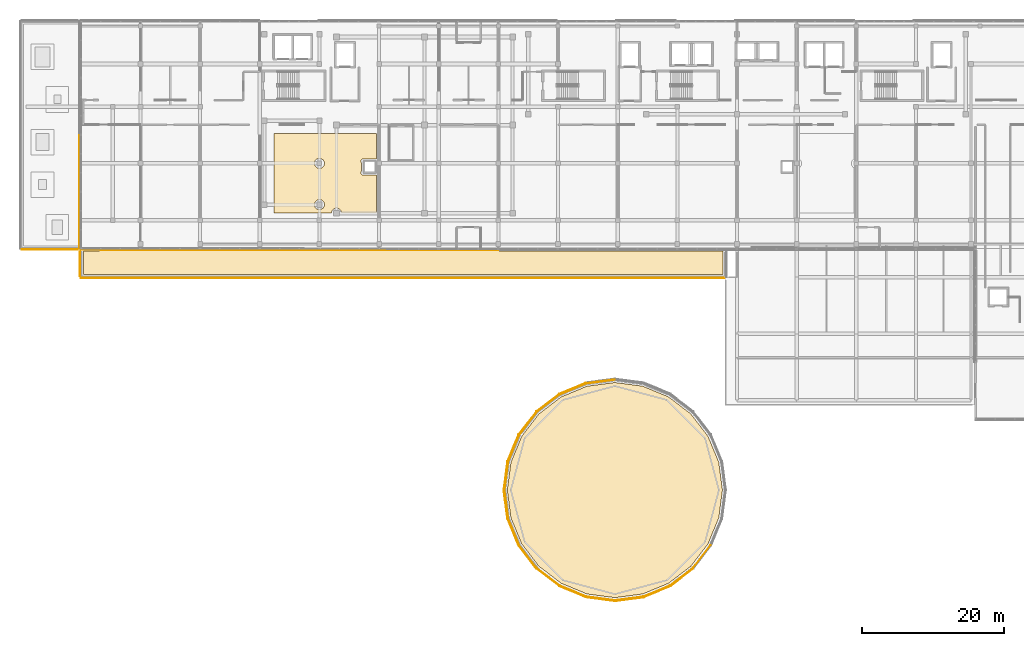
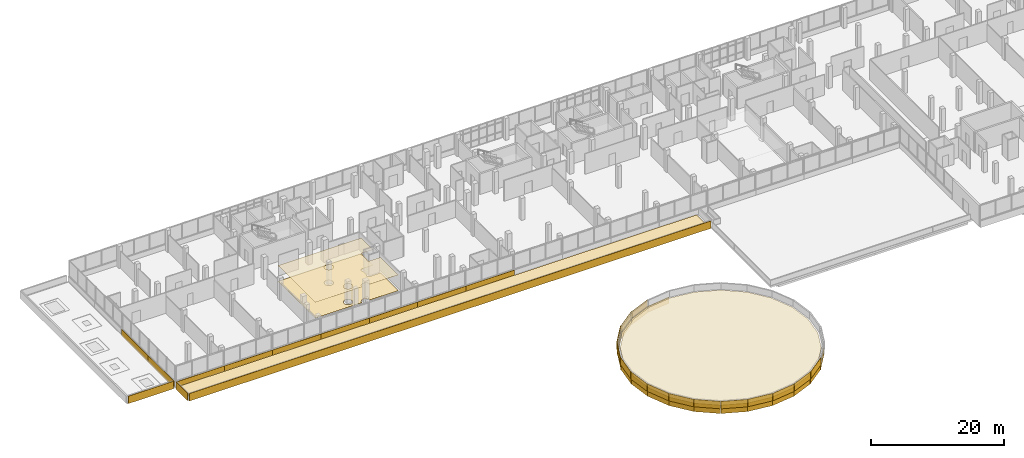
# One storey, part 73 of 78: 46 coverings.
"""IFC4 building model written with IfcOpenShell, lengths in metres."""

from ifc_helpers import new_model, si_unit, direction, frame, origin, origin_2d, place, context, subcontext, project, spatial, polyline, rectangle, outline, extrude, material, layer, layer_set, type_object, element, save


model = new_model("IFC4")

# Units and contexts
model_context = context("Model", 3, precision=1e-05, world=origin(), true_north=direction((0.0, 1.0)))
body_context = subcontext(model_context, "Body", "Model", "MODEL_VIEW")
ifc_project = project(units=[si_unit("LENGTHUNIT", "METRE"), si_unit("AREAUNIT", "SQUARE_METRE"), si_unit("VOLUMEUNIT", "CUBIC_METRE"), si_unit("PLANEANGLEUNIT", "RADIAN"), si_unit("MASSUNIT", "GRAM", prefix="KILO")], contexts=[model_context])

# Site, building, storey
site_placement = place(None, origin())
site = spatial("IfcSite", under=ifc_project, at=site_placement, CompositionType="ELEMENT")
building_placement = place(site_placement, origin())
building = spatial("IfcBuilding", under=site, at=building_placement, Name="Selatvlak General Hospital", CompositionType="ELEMENT")
storey_placement = place(building_placement, frame((0.0, 0.0, 23.25)))
storey = spatial("IfcBuildingStorey", under=building, at=storey_placement, Name="L05", CompositionType="ELEMENT", Elevation=23.25)

# Coverings
ifc_material_1 = material(Name="Acoustic mineral fibre ceiling tile")
ifc_layer_1 = layer(ifc_material_1, 0.02490234375, Name="Acoustic mineral fibre ceiling tile")
ifc_layer_set_1 = layer_set([ifc_layer_1], Name="Acoustic mineral fibre ceiling tile")
covering_type_1 = type_object("IfcCoveringType", Name="COV-CEIL1", PredefinedType="CEILING", material=ifc_layer_set_1)
covering_1_placement = place(storey_placement, frame((0.0, 0.0, 2.875)))
element("IfcCovering", 1, at=covering_1_placement, inside=storey, type_object=covering_type_1, Name="L05 clinical acoustic ceiling 011", PredefinedType="CEILING", context=body_context, shape_type="SweptSolid", body=[
    extrude(outline(polyline([(50.0, 104.199951171875), (64.449951171875, 104.199951171875), (64.449951171875, 100.64599609375), (64.39990234375, 100.64990234375), (62.60009765625, 100.64990234375), (62.56591796875, 100.64794921875), (62.531982421875, 100.64306640625), (62.498046875, 100.635009765625), (62.466064453125, 100.623046875), (62.43505859375, 100.60888671875), (62.406005859375, 100.591064453125), (62.3779296875, 100.571044921875), (62.35302734375, 100.547119140625), (62.3291015625, 100.52197265625), (62.30908203125, 100.493896484375), (62.291015625, 100.465087890625), (62.277099609375, 100.43408203125), (62.264892578125, 100.402099609375), (62.257080078125, 100.367919921875), (62.251953125, 100.333984375), (62.25, 100.300048828125), (62.251953125, 100.26611328125), (62.257080078125, 100.23193359375), (62.264892578125, 100.197998046875), (62.277099609375, 100.166015625), (62.291015625, 100.135009765625), (62.30908203125, 100.10595703125), (62.3291015625, 100.077880859375), (62.35009765625, 100.054931640625), (62.35009765625, 98.945068359375), (62.3291015625, 98.922119140625), (62.30908203125, 98.89404296875), (62.291015625, 98.864990234375), (62.277099609375, 98.833984375), (62.264892578125, 98.802001953125), (62.257080078125, 98.76806640625), (62.251953125, 98.73388671875), (62.25, 98.699951171875), (62.251953125, 98.666015625), (62.257080078125, 98.632080078125), (62.264892578125, 98.597900390625), (62.277099609375, 98.56591796875), (62.291015625, 98.534912109375), (62.30908203125, 98.506103515625), (62.3291015625, 98.47802734375), (62.35302734375, 98.452880859375), (62.3779296875, 98.428955078125), (62.406005859375, 98.408935546875), (62.43505859375, 98.39111328125), (62.466064453125, 98.376953125), (62.498046875, 98.364990234375), (62.531982421875, 98.35693359375), (62.56591796875, 98.35205078125), (62.60009765625, 98.35009765625), (64.39990234375, 98.35009765625), (64.43408203125, 98.35205078125), (64.449951171875, 93.0), (59.5, 93.0), (59.4970703125, 93.069091796875), (59.487060546875, 93.136962890625), (59.469970703125, 93.202880859375), (59.447021484375, 93.26806640625), (59.4169921875, 93.330078125), (59.382080078125, 93.388916015625), (59.341064453125, 93.444091796875), (59.294921875, 93.4951171875), (59.243896484375, 93.541015625), (59.18896484375, 93.58203125), (59.1298828125, 93.616943359375), (59.068115234375, 93.64697265625), (59.0029296875, 93.669921875), (58.93701171875, 93.68701171875), (58.868896484375, 93.697021484375), (58.800048828125, 93.699951171875), (58.73095703125, 93.697021484375), (58.6630859375, 93.68701171875), (58.596923828125, 93.669921875), (58.531982421875, 93.64697265625), (58.469970703125, 93.616943359375), (58.410888671875, 93.58203125), (58.35595703125, 93.541015625), (58.304931640625, 93.4951171875), (58.259033203125, 93.444091796875), (58.218017578125, 93.388916015625), (58.18310546875, 93.330078125), (58.153076171875, 93.26806640625), (58.1298828125, 93.202880859375), (58.113037109375, 93.136962890625), (58.10302734375, 93.069091796875), (58.10009765625, 93.0), (50.0, 93.0), (50.0, 104.199951171875)]), holes=[polyline([(56.94091796875, 93.756103515625), (56.98193359375, 93.81103515625), (57.01708984375, 93.8701171875), (57.047119140625, 93.931884765625), (57.070068359375, 93.9970703125), (57.0869140625, 94.06298828125), (57.096923828125, 94.131103515625), (57.10009765625, 94.199951171875), (57.096923828125, 94.26904296875), (57.0869140625, 94.3369140625), (57.070068359375, 94.403076171875), (57.047119140625, 94.468017578125), (57.01708984375, 94.530029296875), (56.98193359375, 94.589111328125), (56.94091796875, 94.64404296875), (56.89501953125, 94.695068359375), (56.843994140625, 94.740966796875), (56.7890625, 94.781982421875), (56.72998046875, 94.81689453125), (56.66796875, 94.846923828125), (56.60302734375, 94.8701171875), (56.537109375, 94.886962890625), (56.468994140625, 94.89697265625), (56.39990234375, 94.89990234375), (56.3310546875, 94.89697265625), (56.262939453125, 94.886962890625), (56.197021484375, 94.8701171875), (56.132080078125, 94.846923828125), (56.070068359375, 94.81689453125), (56.010986328125, 94.781982421875), (55.9560546875, 94.740966796875), (55.905029296875, 94.695068359375), (55.85888671875, 94.64404296875), (55.818115234375, 94.589111328125), (55.782958984375, 94.530029296875), (55.7529296875, 94.468017578125), (55.72998046875, 94.403076171875), (55.712890625, 94.3369140625), (55.702880859375, 94.26904296875), (55.699951171875, 94.199951171875), (55.702880859375, 94.131103515625), (55.712890625, 94.06298828125), (55.72998046875, 93.9970703125), (55.7529296875, 93.931884765625), (55.782958984375, 93.8701171875), (55.818115234375, 93.81103515625), (55.85888671875, 93.756103515625), (55.905029296875, 93.705078125), (55.9560546875, 93.658935546875), (56.010986328125, 93.617919921875), (56.070068359375, 93.5830078125), (56.132080078125, 93.552978515625), (56.197021484375, 93.530029296875), (56.262939453125, 93.512939453125), (56.3310546875, 93.5029296875), (56.39990234375, 93.5), (56.468994140625, 93.5029296875), (56.537109375, 93.512939453125), (56.60302734375, 93.530029296875), (56.66796875, 93.552978515625), (56.72998046875, 93.5830078125), (56.7890625, 93.617919921875), (56.843994140625, 93.658935546875), (56.89501953125, 93.705078125), (56.94091796875, 93.756103515625)]), polyline([(56.94091796875, 99.555908203125), (56.98193359375, 99.611083984375), (57.01708984375, 99.669921875), (57.047119140625, 99.73193359375), (57.070068359375, 99.797119140625), (57.0869140625, 99.863037109375), (57.096923828125, 99.930908203125), (57.10009765625, 100.0), (57.096923828125, 100.069091796875), (57.0869140625, 100.136962890625), (57.070068359375, 100.202880859375), (57.047119140625, 100.26806640625), (57.01708984375, 100.330078125), (56.98193359375, 100.388916015625), (56.94091796875, 100.444091796875), (56.89501953125, 100.4951171875), (56.843994140625, 100.541015625), (56.7890625, 100.58203125), (56.72998046875, 100.616943359375), (56.66796875, 100.64697265625), (56.60302734375, 100.669921875), (56.537109375, 100.68701171875), (56.468994140625, 100.697021484375), (56.39990234375, 100.699951171875), (56.3310546875, 100.697021484375), (56.262939453125, 100.68701171875), (56.197021484375, 100.669921875), (56.132080078125, 100.64697265625), (56.070068359375, 100.616943359375), (56.010986328125, 100.58203125), (55.9560546875, 100.541015625), (55.905029296875, 100.4951171875), (55.85888671875, 100.444091796875), (55.818115234375, 100.388916015625), (55.782958984375, 100.330078125), (55.7529296875, 100.26806640625), (55.72998046875, 100.202880859375), (55.712890625, 100.136962890625), (55.702880859375, 100.069091796875), (55.699951171875, 100.0), (55.702880859375, 99.930908203125), (55.712890625, 99.863037109375), (55.72998046875, 99.797119140625), (55.7529296875, 99.73193359375), (55.782958984375, 99.669921875), (55.818115234375, 99.611083984375), (55.85888671875, 99.555908203125), (55.905029296875, 99.5048828125), (55.9560546875, 99.458984375), (56.010986328125, 99.41796875), (56.070068359375, 99.383056640625), (56.132080078125, 99.35302734375), (56.197021484375, 99.330078125), (56.262939453125, 99.31298828125), (56.3310546875, 99.302978515625), (56.39990234375, 99.300048828125), (56.468994140625, 99.302978515625), (56.537109375, 99.31298828125), (56.60302734375, 99.330078125), (56.66796875, 99.35302734375), (56.72998046875, 99.383056640625), (56.7890625, 99.41796875), (56.843994140625, 99.458984375), (56.89501953125, 99.5048828125), (56.94091796875, 99.555908203125)])]), origin(), (0.0, 0.0, 1.0), 0.02490234375),
])
ifc_material_2 = material(Name="Homogeneous anti-static hospital vinyl flooring")
ifc_layer_2 = layer(ifc_material_2, 0.014892578125, Name="Homogeneous anti-static hospital vinyl flooring")
ifc_layer_set_2 = layer_set([ifc_layer_2], Name="Homogeneous anti-static hospital vinyl flooring")
covering_type_2 = type_object("IfcCoveringType", Name="COV-FLR1", PredefinedType="FLOORING", material=ifc_layer_set_2)
covering_2_placement = place(storey_placement, origin())
element("IfcCovering", 2, at=covering_2_placement, inside=storey, type_object=covering_type_2, Name="L05 seamless vinyl flooring 011", PredefinedType="FLOORING", context=body_context, shape_type="SweptSolid", body=[
    extrude(outline(polyline([(50.0, 104.199951171875), (64.449951171875, 104.199951171875), (64.449951171875, 100.64599609375), (64.39990234375, 100.64990234375), (62.60009765625, 100.64990234375), (62.56591796875, 100.64794921875), (62.531982421875, 100.64306640625), (62.498046875, 100.635009765625), (62.466064453125, 100.623046875), (62.43505859375, 100.60888671875), (62.406005859375, 100.591064453125), (62.3779296875, 100.571044921875), (62.35302734375, 100.547119140625), (62.3291015625, 100.52197265625), (62.30908203125, 100.493896484375), (62.291015625, 100.465087890625), (62.277099609375, 100.43408203125), (62.264892578125, 100.402099609375), (62.257080078125, 100.367919921875), (62.251953125, 100.333984375), (62.25, 100.300048828125), (62.251953125, 100.26611328125), (62.257080078125, 100.23193359375), (62.264892578125, 100.197998046875), (62.277099609375, 100.166015625), (62.291015625, 100.135009765625), (62.30908203125, 100.10595703125), (62.3291015625, 100.077880859375), (62.35009765625, 100.054931640625), (62.35009765625, 98.945068359375), (62.3291015625, 98.922119140625), (62.30908203125, 98.89404296875), (62.291015625, 98.864990234375), (62.277099609375, 98.833984375), (62.264892578125, 98.802001953125), (62.257080078125, 98.76806640625), (62.251953125, 98.73388671875), (62.25, 98.699951171875), (62.251953125, 98.666015625), (62.257080078125, 98.632080078125), (62.264892578125, 98.597900390625), (62.277099609375, 98.56591796875), (62.291015625, 98.534912109375), (62.30908203125, 98.506103515625), (62.3291015625, 98.47802734375), (62.35302734375, 98.452880859375), (62.3779296875, 98.428955078125), (62.406005859375, 98.408935546875), (62.43505859375, 98.39111328125), (62.466064453125, 98.376953125), (62.498046875, 98.364990234375), (62.531982421875, 98.35693359375), (62.56591796875, 98.35205078125), (62.60009765625, 98.35009765625), (64.39990234375, 98.35009765625), (64.43408203125, 98.35205078125), (64.449951171875, 93.0), (59.5, 93.0), (59.4970703125, 93.069091796875), (59.487060546875, 93.136962890625), (59.469970703125, 93.202880859375), (59.447021484375, 93.26806640625), (59.4169921875, 93.330078125), (59.382080078125, 93.388916015625), (59.341064453125, 93.444091796875), (59.294921875, 93.4951171875), (59.243896484375, 93.541015625), (59.18896484375, 93.58203125), (59.1298828125, 93.616943359375), (59.068115234375, 93.64697265625), (59.0029296875, 93.669921875), (58.93701171875, 93.68701171875), (58.868896484375, 93.697021484375), (58.800048828125, 93.699951171875), (58.73095703125, 93.697021484375), (58.6630859375, 93.68701171875), (58.596923828125, 93.669921875), (58.531982421875, 93.64697265625), (58.469970703125, 93.616943359375), (58.410888671875, 93.58203125), (58.35595703125, 93.541015625), (58.304931640625, 93.4951171875), (58.259033203125, 93.444091796875), (58.218017578125, 93.388916015625), (58.18310546875, 93.330078125), (58.153076171875, 93.26806640625), (58.1298828125, 93.202880859375), (58.113037109375, 93.136962890625), (58.10302734375, 93.069091796875), (58.10009765625, 93.0), (50.0, 93.0), (50.0, 104.199951171875)]), holes=[polyline([(56.94091796875, 93.756103515625), (56.98193359375, 93.81103515625), (57.01708984375, 93.8701171875), (57.047119140625, 93.931884765625), (57.070068359375, 93.9970703125), (57.0869140625, 94.06298828125), (57.096923828125, 94.131103515625), (57.10009765625, 94.199951171875), (57.096923828125, 94.26904296875), (57.0869140625, 94.3369140625), (57.070068359375, 94.403076171875), (57.047119140625, 94.468017578125), (57.01708984375, 94.530029296875), (56.98193359375, 94.589111328125), (56.94091796875, 94.64404296875), (56.89501953125, 94.695068359375), (56.843994140625, 94.740966796875), (56.7890625, 94.781982421875), (56.72998046875, 94.81689453125), (56.66796875, 94.846923828125), (56.60302734375, 94.8701171875), (56.537109375, 94.886962890625), (56.468994140625, 94.89697265625), (56.39990234375, 94.89990234375), (56.3310546875, 94.89697265625), (56.262939453125, 94.886962890625), (56.197021484375, 94.8701171875), (56.132080078125, 94.846923828125), (56.070068359375, 94.81689453125), (56.010986328125, 94.781982421875), (55.9560546875, 94.740966796875), (55.905029296875, 94.695068359375), (55.85888671875, 94.64404296875), (55.818115234375, 94.589111328125), (55.782958984375, 94.530029296875), (55.7529296875, 94.468017578125), (55.72998046875, 94.403076171875), (55.712890625, 94.3369140625), (55.702880859375, 94.26904296875), (55.699951171875, 94.199951171875), (55.702880859375, 94.131103515625), (55.712890625, 94.06298828125), (55.72998046875, 93.9970703125), (55.7529296875, 93.931884765625), (55.782958984375, 93.8701171875), (55.818115234375, 93.81103515625), (55.85888671875, 93.756103515625), (55.905029296875, 93.705078125), (55.9560546875, 93.658935546875), (56.010986328125, 93.617919921875), (56.070068359375, 93.5830078125), (56.132080078125, 93.552978515625), (56.197021484375, 93.530029296875), (56.262939453125, 93.512939453125), (56.3310546875, 93.5029296875), (56.39990234375, 93.5), (56.468994140625, 93.5029296875), (56.537109375, 93.512939453125), (56.60302734375, 93.530029296875), (56.66796875, 93.552978515625), (56.72998046875, 93.5830078125), (56.7890625, 93.617919921875), (56.843994140625, 93.658935546875), (56.89501953125, 93.705078125), (56.94091796875, 93.756103515625)]), polyline([(56.94091796875, 99.555908203125), (56.98193359375, 99.611083984375), (57.01708984375, 99.669921875), (57.047119140625, 99.73193359375), (57.070068359375, 99.797119140625), (57.0869140625, 99.863037109375), (57.096923828125, 99.930908203125), (57.10009765625, 100.0), (57.096923828125, 100.069091796875), (57.0869140625, 100.136962890625), (57.070068359375, 100.202880859375), (57.047119140625, 100.26806640625), (57.01708984375, 100.330078125), (56.98193359375, 100.388916015625), (56.94091796875, 100.444091796875), (56.89501953125, 100.4951171875), (56.843994140625, 100.541015625), (56.7890625, 100.58203125), (56.72998046875, 100.616943359375), (56.66796875, 100.64697265625), (56.60302734375, 100.669921875), (56.537109375, 100.68701171875), (56.468994140625, 100.697021484375), (56.39990234375, 100.699951171875), (56.3310546875, 100.697021484375), (56.262939453125, 100.68701171875), (56.197021484375, 100.669921875), (56.132080078125, 100.64697265625), (56.070068359375, 100.616943359375), (56.010986328125, 100.58203125), (55.9560546875, 100.541015625), (55.905029296875, 100.4951171875), (55.85888671875, 100.444091796875), (55.818115234375, 100.388916015625), (55.782958984375, 100.330078125), (55.7529296875, 100.26806640625), (55.72998046875, 100.202880859375), (55.712890625, 100.136962890625), (55.702880859375, 100.069091796875), (55.699951171875, 100.0), (55.702880859375, 99.930908203125), (55.712890625, 99.863037109375), (55.72998046875, 99.797119140625), (55.7529296875, 99.73193359375), (55.782958984375, 99.669921875), (55.818115234375, 99.611083984375), (55.85888671875, 99.555908203125), (55.905029296875, 99.5048828125), (55.9560546875, 99.458984375), (56.010986328125, 99.41796875), (56.070068359375, 99.383056640625), (56.132080078125, 99.35302734375), (56.197021484375, 99.330078125), (56.262939453125, 99.31298828125), (56.3310546875, 99.302978515625), (56.39990234375, 99.300048828125), (56.468994140625, 99.302978515625), (56.537109375, 99.31298828125), (56.60302734375, 99.330078125), (56.66796875, 99.35302734375), (56.72998046875, 99.383056640625), (56.7890625, 99.41796875), (56.843994140625, 99.458984375), (56.89501953125, 99.5048828125), (56.94091796875, 99.555908203125)])]), origin(), (0.0, 0.0, 1.0), 0.014892578125),
])
ifc_material_3 = material(Name="Insulated TPO roofing membrane")
ifc_layer_3 = layer(ifc_material_3, 0.06005859375, Name="Insulated TPO roofing membrane")
ifc_layer_set_3 = layer_set([ifc_layer_3], Name="Insulated TPO roofing membrane")
covering_type_3 = type_object("IfcCoveringType", Name="COV-RF1", PredefinedType="ROOFING", material=ifc_layer_set_3)
covering_3_placement = place(storey_placement, frame((0.0, 0.0, 0.050048828125)))
element("IfcCovering", 3, at=covering_3_placement, inside=storey, type_object=covering_type_3, Name="L05 insulated TPO roof membrane 06", PredefinedType="ROOFING", context=body_context, shape_type="SweptSolid", body=[
    extrude(outline(polyline([(23.14990234375, 87.64208984375), (113.2451171875, 87.64208984375), (113.2451171875, 84.35009765625), (23.14990234375, 84.35009765625), (23.14990234375, 87.64208984375)])), origin(), (0.0, 0.0, 1.0), 0.06005859375),
])
covering_4_placement = place(storey_placement, frame((0.0, 0.0, 1.35009765625)))
element("IfcCovering", 4, at=covering_4_placement, inside=storey, type_object=covering_type_3, Name="L05 insulated TPO roof membrane 08", PredefinedType="ROOFING", context=body_context, shape_type="SweptSolid", body=[
    extrude(outline(polyline([(113.14697265625, 54.0), (112.631103515625, 50.0791015625), (111.116943359375, 46.427001953125), (108.7099609375, 43.2900390625), (105.572998046875, 40.883056640625), (101.9208984375, 39.368896484375), (98.0, 38.85302734375), (94.0791015625, 39.368896484375), (90.427001953125, 40.883056640625), (87.2900390625, 43.2900390625), (84.883056640625, 46.427001953125), (83.368896484375, 50.0791015625), (82.85302734375, 54.0), (83.368896484375, 57.9208984375), (84.883056640625, 61.572998046875), (87.2900390625, 64.7099609375), (90.427001953125, 67.116943359375), (94.0791015625, 68.631103515625), (98.0, 69.14697265625), (101.9208984375, 68.631103515625), (105.572998046875, 67.116943359375), (108.7099609375, 64.7099609375), (111.116943359375, 61.572998046875), (112.631103515625, 57.9208984375), (113.14697265625, 54.0)])), origin(), (0.0, 0.0, 1.0), 0.059814453125),
])
ifc_material_4 = material(Name="White Bauhaus fair-faced cladding panel")
ifc_layer_4 = layer(ifc_material_4, 0.054931640625, Name="White Bauhaus fair-faced cladding panel")
ifc_layer_set_4 = layer_set([ifc_layer_4], Name="White Bauhaus fair-faced cladding panel")
covering_type_4 = type_object("IfcCoveringType", Name="COV-WHT1", PredefinedType="CLADDING", material=ifc_layer_set_4)
for number, where, z_axis, x_axis, name in (
    (5, (110.22412109375, 44.6220703125, 0.199951171875), (0.0, 0.0, 1.0), (-0.608747582288, -0.793363965062, 0.0), "L05 Rotunda crown white cornice ring 0354"),
    (6, (107.3798828125, 41.778076171875, 0.199951171875), (0.0, 0.0, 1.0), (-0.793363965062, -0.608747582288, 0.0), "L05 Rotunda crown white cornice ring 0356"),
    (7, (103.89697265625, 39.76708984375, 0.199951171875), (0.0, 0.0, 1.0), (-0.923819409341, -0.382828550301, 0.0), "L05 Rotunda crown white cornice ring 0358"),
):
    element("IfcCovering", number, at=place(storey_placement, frame(where, z_axis=z_axis, x_axis=x_axis)), inside=storey, type_object=covering_type_4, Name=name, PredefinedType="CLADDING", context=body_context, shape_type="SweptSolid", body=[
        extrude(rectangle(XDim=4.0458984375, YDim=0.054931640625, at=origin_2d()), origin(), (0.0, 0.0, 1.0), 1.14990234375),
    ])
for number, where, z_axis, x_axis, name in (
    (8, (100.011962890625, 38.72509765625, 0.199951171875), (0.0, 0.0, 1.0), (-0.991419783872, -0.130716533562, 0.0), "L05 Rotunda crown white cornice ring 0360"),
    (9, (95.989990234375, 38.72412109375, 0.199951171875), (0.0, 0.0, 1.0), (-0.99145169435, 0.13047428011, 0.0), "L05 Rotunda crown white cornice ring 0362"),
):
    element("IfcCovering", number, at=place(storey_placement, frame(where, z_axis=z_axis, x_axis=x_axis)), inside=storey, type_object=covering_type_4, Name=name, PredefinedType="CLADDING", context=body_context, shape_type="SweptSolid", body=[
        extrude(rectangle(XDim=4.047119140625, YDim=0.054931640625, at=origin_2d()), origin(), (0.0, 0.0, 1.0), 1.14990234375),
    ])
for number, where, z_axis, x_axis, name in (
    (10, (92.10498046875, 39.764892578125, 0.199951171875), (0.0, 0.0, 1.0), (-0.923906246603, 0.382618932474, 0.0), "L05 Rotunda crown white cornice ring 0364"),
    (11, (88.6220703125, 41.77587890625, 0.199951171875), (0.0, 0.0, 1.0), (-0.793363965062, 0.608747582288, 0.0), "L05 Rotunda crown white cornice ring 0366"),
    (12, (85.778076171875, 44.6201171875, 0.199951171875), (0.0, 0.0, 1.0), (-0.608747582288, 0.793363965062, 0.0), "L05 Rotunda crown white cornice ring 0368"),
    (13, (83.76708984375, 48.10302734375, 0.199951171875), (0.0, 0.0, 1.0), (-0.382828550301, 0.923819409341, 0.0), "L05 Rotunda crown white cornice ring 0370"),
):
    element("IfcCovering", number, at=place(storey_placement, frame(where, z_axis=z_axis, x_axis=x_axis)), inside=storey, type_object=covering_type_4, Name=name, PredefinedType="CLADDING", context=body_context, shape_type="SweptSolid", body=[
        extrude(rectangle(XDim=4.0458984375, YDim=0.054931640625, at=origin_2d()), origin(), (0.0, 0.0, 1.0), 1.14990234375),
    ])
for number, where, z_axis, x_axis, name in (
    (14, (82.72509765625, 51.988037109375, 0.199951171875), (0.0, 0.0, 1.0), (-0.130716533562, 0.991419783872, 0.0), "L05 Rotunda crown white cornice ring 0372"),
    (15, (82.72412109375, 56.010009765625, 0.199951171875), (0.0, 0.0, 1.0), (0.13047428011, 0.99145169435, 0.0), "L05 Rotunda crown white cornice ring 0374"),
):
    element("IfcCovering", number, at=place(storey_placement, frame(where, z_axis=z_axis, x_axis=x_axis)), inside=storey, type_object=covering_type_4, Name=name, PredefinedType="CLADDING", context=body_context, shape_type="SweptSolid", body=[
        extrude(rectangle(XDim=4.047119140625, YDim=0.054931640625, at=origin_2d()), origin(), (0.0, 0.0, 1.0), 1.14990234375),
    ])
for number, where, z_axis, x_axis, name in (
    (16, (83.764892578125, 59.89501953125, 0.199951171875), (0.0, 0.0, 1.0), (0.382618932474, 0.923906246603, 0.0), "L05 Rotunda crown white cornice ring 0376"),
    (17, (85.77587890625, 63.3779296875, 0.199951171875), (0.0, 0.0, 1.0), (0.608747582288, 0.793363965062, 0.0), "L05 Rotunda crown white cornice ring 0378"),
    (18, (88.6201171875, 66.221923828125, 0.199951171875), (0.0, 0.0, 1.0), (0.793363965062, 0.608747582288, 0.0), "L05 Rotunda crown white cornice ring 0380"),
    (19, (92.10302734375, 68.23291015625, 0.199951171875), (0.0, 0.0, 1.0), (0.923819409341, 0.382828550301, 0.0), "L05 Rotunda crown white cornice ring 0382"),
):
    element("IfcCovering", number, at=place(storey_placement, frame(where, z_axis=z_axis, x_axis=x_axis)), inside=storey, type_object=covering_type_4, Name=name, PredefinedType="CLADDING", context=body_context, shape_type="SweptSolid", body=[
        extrude(rectangle(XDim=4.0458984375, YDim=0.054931640625, at=origin_2d()), origin(), (0.0, 0.0, 1.0), 1.14990234375),
    ])
covering_5_placement = place(storey_placement, frame((95.988037109375, 69.27490234375, 0.199951171875), z_axis=(0.0, 0.0, 1.0), x_axis=(0.991419783872, 0.130716533562, 0.0)))
element("IfcCovering", 20, at=covering_5_placement, inside=storey, type_object=covering_type_4, Name="L05 Rotunda crown white cornice ring 0384", PredefinedType="CLADDING", context=body_context, shape_type="SweptSolid", body=[
    extrude(rectangle(XDim=4.047119140625, YDim=0.054931640625, at=origin_2d()), origin(), (0.0, 0.0, 1.0), 1.14990234375),
])
covering_6_placement = place(storey_placement, frame((22.635009765625, 92.0, -0.27978515625), z_axis=(0.0, 0.0, 1.0), x_axis=(0.0, 1.0, 0.0)))
element("IfcCovering", 21, at=covering_6_placement, inside=storey, type_object=covering_type_4, Name="L05 Bauhaus horizontal white spandrel band 0397", PredefinedType="CLADDING", context=body_context, shape_type="SweptSolid", body=[
    extrude(rectangle(XDim=8.0, YDim=0.054931640625, at=origin_2d()), origin(), (0.0, 0.0, 1.0), 1.219970703125),
])
covering_7_placement = place(storey_placement, frame((22.635009765625, 99.9990234375, -0.27978515625), z_axis=(0.0, 0.0, 1.0), x_axis=(0.0, 1.0, 0.0)))
element("IfcCovering", 22, at=covering_7_placement, inside=storey, type_object=covering_type_4, Name="L05 Bauhaus horizontal white spandrel band 0398", PredefinedType="CLADDING", context=body_context, shape_type="SweptSolid", body=[
    extrude(rectangle(XDim=7.9990234375, YDim=0.054931640625, at=origin_2d()), origin(), (0.0, 0.0, 1.0), 1.219970703125),
])
for number, where, z_axis, x_axis, name in (
    (23, (77.39990234375, 87.80908203125, -0.27978515625), (0.0, 0.0, 1.0), (-0.999999888967, 0.000471238881, 0.0), "L05 Bauhaus horizontal white spandrel band 0441"),
    (24, (69.0, 87.81298828125, -0.27978515625), (0.0, 0.0, 1.0), (-0.999999888967, 0.000471238881, 0.0), "L05 Bauhaus horizontal white spandrel band 0442"),
    (25, (60.60009765625, 87.81689453125, -0.27978515625), (0.0, 0.0, 1.0), (-0.999999888967, 0.000471238881, 0.0), "L05 Bauhaus horizontal white spandrel band 0443"),
    (26, (52.199951171875, 87.821044921875, -0.27978515625), (0.0, 0.0, 1.0), (-0.999999888967, 0.000471238881, 0.0), "L05 Bauhaus horizontal white spandrel band 0444"),
    (27, (43.800048828125, 87.824951171875, -0.27978515625), (0.0, 0.0, 1.0), (-0.999999888967, 0.000471238881, 0.0), "L05 Bauhaus horizontal white spandrel band 0445"),
    (28, (35.39990234375, 87.8291015625, -0.27978515625), (0.0, 0.0, 1.0), (-0.999999888967, 0.000471238881, 0.0), "L05 Bauhaus horizontal white spandrel band 0446"),
    (29, (27.0, 87.8330078125, -0.27978515625), (0.0, 0.0, 1.0), (-0.999999888967, 0.000471238881, 0.0), "L05 Bauhaus horizontal white spandrel band 0447"),
):
    element("IfcCovering", number, at=place(storey_placement, frame(where, z_axis=z_axis, x_axis=x_axis)), inside=storey, type_object=covering_type_4, Name=name, PredefinedType="CLADDING", context=body_context, shape_type="SweptSolid", body=[
        extrude(rectangle(XDim=8.39990234375, YDim=0.054931640625, at=origin_2d()), origin(), (0.0, 0.0, 1.0), 1.219970703125),
    ])
covering_8_placement = place(storey_placement, frame((18.429931640625, 87.864990234375, -0.170166015625), z_axis=(0.0, 0.0, 1.0), x_axis=(-1.0, 0.0, 0.0)))
element("IfcCovering", 30, at=covering_8_placement, inside=storey, type_object=covering_type_4, Name="L05 Roof parapet white Bauhaus coping 0648", PredefinedType="CLADDING", context=body_context, shape_type="SweptSolid", body=[
    extrude(rectangle(XDim=7.822998046875, YDim=0.054931640625, at=origin_2d()), origin(), (0.0, 0.0, 1.0), 1.3701171875),
])
covering_9_placement = place(storey_placement, frame((68.14404296875, 83.864990234375, -0.170166015625), z_axis=(0.0, 0.0, 1.0), x_axis=(-1.0, 0.0, 0.0)))
element("IfcCovering", 31, at=covering_9_placement, inside=storey, type_object=covering_type_4, Name="L05 Roof parapet white Bauhaus coping 0650", PredefinedType="CLADDING", context=body_context, shape_type="SweptSolid", body=[
    extrude(rectangle(XDim=90.68701171875, YDim=0.054931640625, at=origin_2d()), origin(), (0.0, 0.0, 1.0), 1.3701171875),
])
covering_10_placement = place(storey_placement, frame((22.675048828125, 85.8291015625, -0.170166015625), z_axis=(0.0, 0.0, 1.0), x_axis=(0.0, 1.0, 0.0)))
element("IfcCovering", 32, at=covering_10_placement, inside=storey, type_object=covering_type_4, Name="L05 Roof parapet white Bauhaus coping 0651", PredefinedType="CLADDING", context=body_context, shape_type="SweptSolid", body=[
    extrude(rectangle(XDim=3.423095703125, YDim=0.054931640625, at=origin_2d()), origin(), (0.0, 0.0, 1.0), 1.3701171875),
])
for number, where, z_axis, x_axis, name in (
    (33, (92.071044921875, 68.31298828125, 1.1298828125), (0.0, 0.0, 1.0), (-0.923819409341, -0.382828550301, 0.0), "L05 Roof parapet white Bauhaus coping 0663"),
    (34, (88.56298828125, 66.299072265625, 1.1298828125), (0.0, 0.0, 1.0), (-0.793363965062, -0.608747582288, 0.0), "L05 Roof parapet white Bauhaus coping 0664"),
    (35, (85.708984375, 63.430908203125, 1.1298828125), (0.0, 0.0, 1.0), (-0.608747582288, -0.793363965062, 0.0), "L05 Roof parapet white Bauhaus coping 0665"),
    (36, (83.677978515625, 59.93310546875, 1.1298828125), (0.0, 0.0, 1.0), (-0.382828550301, -0.923819409341, 0.0), "L05 Roof parapet white Bauhaus coping 0666"),
):
    element("IfcCovering", number, at=place(storey_placement, frame(where, z_axis=z_axis, x_axis=x_axis)), inside=storey, type_object=covering_type_4, Name=name, PredefinedType="CLADDING", context=body_context, shape_type="SweptSolid", body=[
        extrude(rectangle(XDim=4.0458984375, YDim=0.054931640625, at=origin_2d()), origin(), (0.0, 0.0, 1.0), 1.3701171875),
    ])
for number, where, z_axis, x_axis, name in (
    (37, (82.639892578125, 56.02197265625, 1.1298828125), (0.0, 0.0, 1.0), (-0.13047428011, -0.99145169435, 0.0), "L05 Roof parapet white Bauhaus coping 0667"),
    (38, (82.6298828125, 51.97607421875, 1.1298828125), (0.0, 0.0, 1.0), (0.13047428011, -0.99145169435, 0.0), "L05 Roof parapet white Bauhaus coping 0668"),
):
    element("IfcCovering", number, at=place(storey_placement, frame(where, z_axis=z_axis, x_axis=x_axis)), inside=storey, type_object=covering_type_4, Name=name, PredefinedType="CLADDING", context=body_context, shape_type="SweptSolid", body=[
        extrude(rectangle(XDim=4.047119140625, YDim=0.054931640625, at=origin_2d()), origin(), (0.0, 0.0, 1.0), 1.3701171875),
    ])
for number, where, z_axis, x_axis, name in (
    (39, (83.68701171875, 48.071044921875, 1.1298828125), (0.0, 0.0, 1.0), (0.382828550301, -0.923819409341, 0.0), "L05 Roof parapet white Bauhaus coping 0669"),
    (40, (85.700927734375, 44.56298828125, 1.1298828125), (0.0, 0.0, 1.0), (0.608747582288, -0.793363965062, 0.0), "L05 Roof parapet white Bauhaus coping 0670"),
    (41, (88.569091796875, 41.708984375, 1.1298828125), (0.0, 0.0, 1.0), (0.793363965062, -0.608747582288, 0.0), "L05 Roof parapet white Bauhaus coping 0671"),
    (42, (92.06689453125, 39.677978515625, 1.1298828125), (0.0, 0.0, 1.0), (0.923819409341, -0.382828550301, 0.0), "L05 Roof parapet white Bauhaus coping 0672"),
):
    element("IfcCovering", number, at=place(storey_placement, frame(where, z_axis=z_axis, x_axis=x_axis)), inside=storey, type_object=covering_type_4, Name=name, PredefinedType="CLADDING", context=body_context, shape_type="SweptSolid", body=[
        extrude(rectangle(XDim=4.0458984375, YDim=0.054931640625, at=origin_2d()), origin(), (0.0, 0.0, 1.0), 1.3701171875),
    ])
for number, where, z_axis, x_axis, name in (
    (43, (95.97802734375, 38.639892578125, 1.1298828125), (0.0, 0.0, 1.0), (0.99145169435, -0.13047428011, 0.0), "L05 Roof parapet white Bauhaus coping 0673"),
    (44, (100.02392578125, 38.6298828125, 1.1298828125), (0.0, 0.0, 1.0), (0.99145169435, 0.13047428011, 0.0), "L05 Roof parapet white Bauhaus coping 0674"),
):
    element("IfcCovering", number, at=place(storey_placement, frame(where, z_axis=z_axis, x_axis=x_axis)), inside=storey, type_object=covering_type_4, Name=name, PredefinedType="CLADDING", context=body_context, shape_type="SweptSolid", body=[
        extrude(rectangle(XDim=4.047119140625, YDim=0.054931640625, at=origin_2d()), origin(), (0.0, 0.0, 1.0), 1.3701171875),
    ])
for number, where, z_axis, x_axis, name in (
    (45, (103.928955078125, 39.68701171875, 1.1298828125), (0.0, 0.0, 1.0), (0.923819409341, 0.382828550301, 0.0), "L05 Roof parapet white Bauhaus coping 0675"),
    (46, (107.43701171875, 41.700927734375, 1.1298828125), (0.0, 0.0, 1.0), (0.793363965062, 0.608747582288, 0.0), "L05 Roof parapet white Bauhaus coping 0676"),
):
    element("IfcCovering", number, at=place(storey_placement, frame(where, z_axis=z_axis, x_axis=x_axis)), inside=storey, type_object=covering_type_4, Name=name, PredefinedType="CLADDING", context=body_context, shape_type="SweptSolid", body=[
        extrude(rectangle(XDim=4.0458984375, YDim=0.054931640625, at=origin_2d()), origin(), (0.0, 0.0, 1.0), 1.3701171875),
    ])

save(model, "model.ifc")
